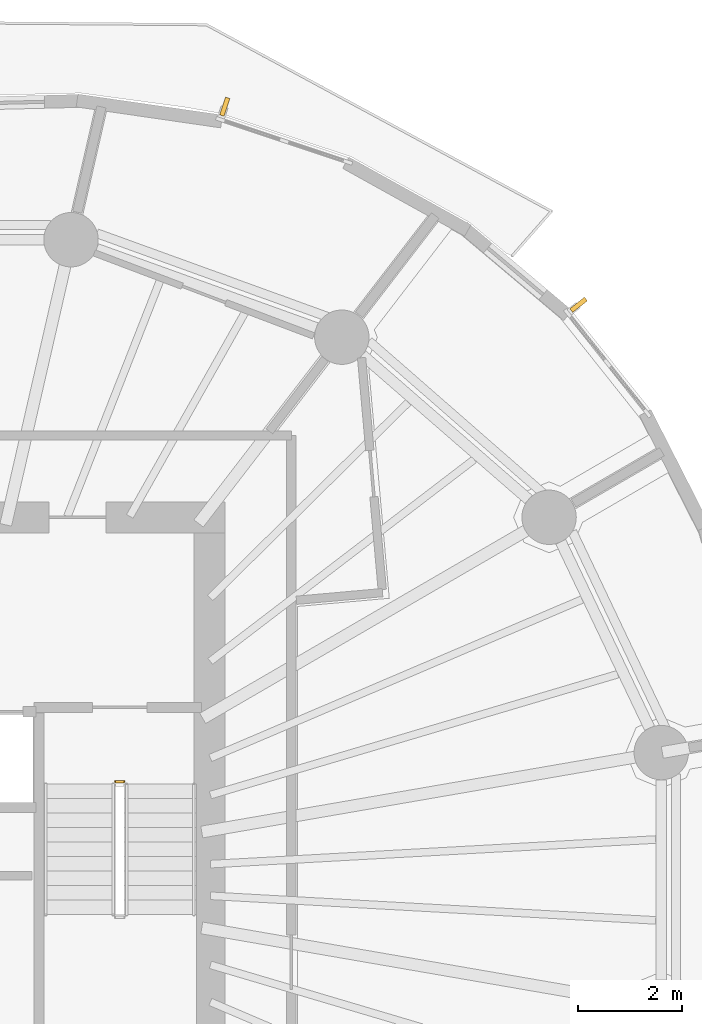
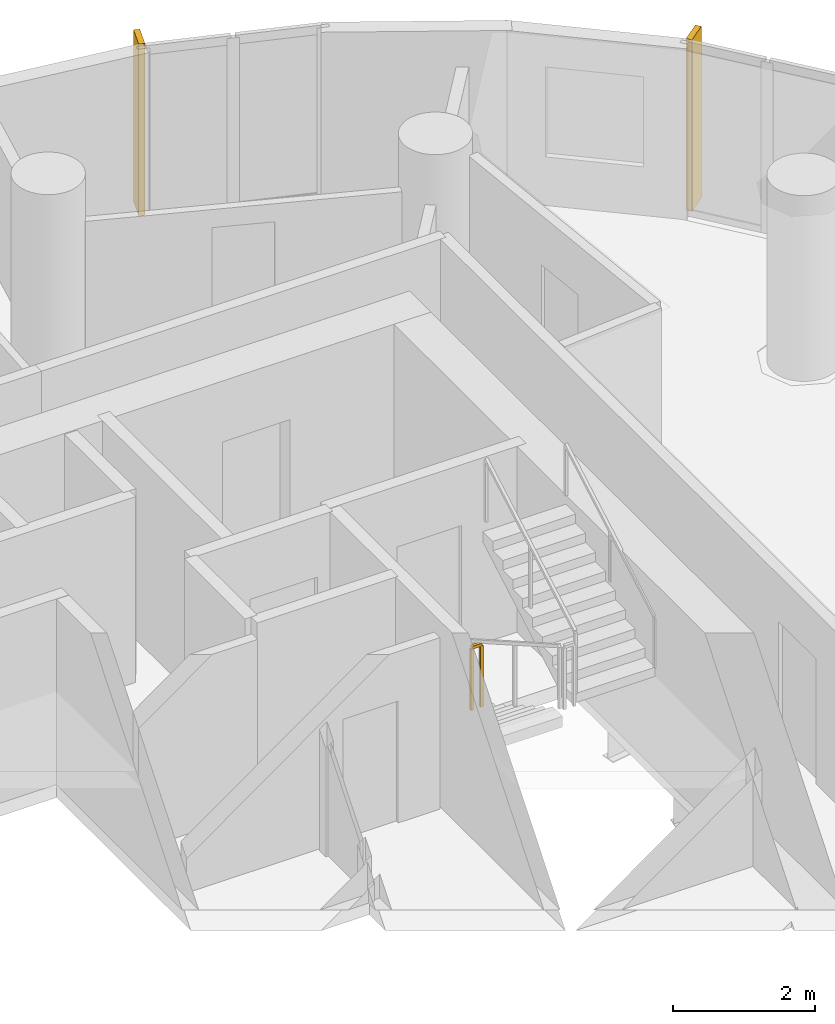
# One storey, part 12 of 12: 2 shading devices, 1 railing.
"""IFC4 building model written with IfcOpenShell, lengths in metres."""

import ifcopenshell
import ifcopenshell.guid

model = None  # the IFC model being written
_history = None  # IfcOwnerHistory: only IFC2X3 demands one
_inside = {}  # id of a spatial element -> (the spatial element, [elements in it])
_under = {}  # id of a project, library or spatial element -> (it, [spatial elements below it])
_declared = {}  # id of a project -> (the project, [libraries it declares])
_typed = {}  # id of a type object -> (the type object, [elements of that type])
_made_of = {}  # id of a material, layer set ... -> (it, [elements and type objects made of it])


def new_model(schema):
    """Start an empty IFC model of exactly this schema.

    Asked for "IFC4X3", IfcOpenShell would pick the latest addendum, in which some entities
    have other attributes; the version numbers below select the first issue.
    IFC2X3 requires an IfcOwnerHistory on every rooted entity: one is made here for all.
    """
    global model, _history
    if schema == "IFC4X3":
        model = ifcopenshell.file(schema_version=(4, 3, 0, 0))
    else:
        model = ifcopenshell.file(schema=schema)
    _inside.clear()
    _under.clear()
    _declared.clear()
    _typed.clear()
    _made_of.clear()
    _history = None
    if model.schema == "IFC2X3":
        org = make("IfcOrganization", Name="unknown")
        user = make(
            "IfcPersonAndOrganization",
            ThePerson=make("IfcPerson", FamilyName="unknown"),
            TheOrganization=org,
        )
        app = make(
            "IfcApplication",
            ApplicationDeveloper=org,
            Version="unknown",
            ApplicationFullName="unknown",
            ApplicationIdentifier="unknown",
        )
        _history = make(
            "IfcOwnerHistory",
            OwningUser=user,
            OwningApplication=app,
            ChangeAction="ADDED",
            CreationDate=0,
        )
    return model


def make(cls, **values):
    """One entity of the class cls with the attributes given. An attribute that is None is left unset."""
    return model.create_entity(
        cls, **{name: value for name, value in values.items() if value is not None}
    )


def rooted(cls, **values):
    """An entity with a GlobalId (a new one), such as an element, a storey or a relation."""
    return make(cls, GlobalId=ifcopenshell.guid.new(), OwnerHistory=_history, **values)


def si_unit(unit_type, name, prefix=None):
    """IfcSIUnit, for example si_unit("LENGTHUNIT", "METRE", prefix="MILLI")."""
    return make("IfcSIUnit", UnitType=unit_type, Prefix=prefix, Name=name)


def assignment(units):
    """IfcUnitAssignment: the units of a project."""
    return None if units is None else make("IfcUnitAssignment", Units=units)


def point(xyz):
    """IfcCartesianPoint."""
    return None if xyz is None else make("IfcCartesianPoint", Coordinates=xyz)


def direction(xyz):
    """IfcDirection."""
    return None if xyz is None else make("IfcDirection", DirectionRatios=xyz)


def frame(location, z_axis=None, x_axis=None):
    """IfcAxis2Placement3D, a coordinate frame: its origin and axes. An axis left out is left unset."""
    return make(
        "IfcAxis2Placement3D",
        Location=point(location),
        Axis=direction(z_axis),
        RefDirection=direction(x_axis),
    )


def frame_2d(location, x_axis=None):
    """IfcAxis2Placement2D, a coordinate frame in the plane: its origin and x axis."""
    return make(
        "IfcAxis2Placement2D", Location=point(location), RefDirection=direction(x_axis)
    )


def origin():
    """The frame at (0, 0, 0) with its axes left unset."""
    return frame((0.0, 0.0, 0.0))


def origin_2d():
    """The frame at (0, 0) in the plane with its x axis left unset."""
    return frame_2d((0.0, 0.0))


def place(relative_to, where):
    """IfcLocalPlacement: puts the frame where relative to a parent placement (None: the world)."""
    return make(
        "IfcLocalPlacement", PlacementRelTo=relative_to, RelativePlacement=where
    )


def context(
    kind, dimensions, precision=None, world=None, true_north=None, identifier=None
):
    """IfcGeometricRepresentationContext, for example the 3D "Model" context."""
    return make(
        "IfcGeometricRepresentationContext",
        ContextIdentifier=identifier,
        ContextType=kind,
        CoordinateSpaceDimension=dimensions,
        Precision=precision,
        WorldCoordinateSystem=world,
        TrueNorth=true_north,
    )


def subcontext(parent, identifier, kind, view, scale=None):
    """IfcGeometricRepresentationSubContext, for example "Body" below "Model"."""
    return make(
        "IfcGeometricRepresentationSubContext",
        ContextIdentifier=identifier,
        ContextType=kind,
        ParentContext=parent,
        TargetScale=scale,
        TargetView=view,
    )


def project(units=None, contexts=None):
    """IfcProject with its units and contexts."""
    return rooted(
        "IfcProject",
        Name="project",
        RepresentationContexts=contexts,
        UnitsInContext=assignment(units),
    )


def spatial(cls, under=None, at=None, **own):
    """A site, building, storey or space (cls), placed at a placement, below another one or the project."""
    s = rooted(cls, ObjectPlacement=at, **own)
    if under is not None:
        _under.setdefault(under.id(), (under, []))[1].append(s)
    return s


def profile(cls, at=None, kind="AREA", **sizes):
    """A parametric profile (cls). Its sizes go by their IFC names, for example OverallWidth=200.0."""
    return make(cls, ProfileType=kind, Position=at, **sizes)


def rectangle(**sizes):
    """IfcRectangleProfileDef."""
    return profile("IfcRectangleProfileDef", **sizes)


def extrude(swept, where, along, depth):
    """IfcExtrudedAreaSolid: the profile swept, set in the frame where, extruded along a direction by depth."""
    return make(
        "IfcExtrudedAreaSolid",
        SweptArea=swept,
        Position=where,
        ExtrudedDirection=direction(along),
        Depth=depth,
    )


def shape(context_of_items, identifier, shape_type, items):
    """IfcShapeRepresentation: the items that make up one representation, for example the "Body"."""
    return make(
        "IfcShapeRepresentation",
        ContextOfItems=context_of_items,
        RepresentationIdentifier=identifier,
        RepresentationType=shape_type,
        Items=items,
    )


def material(Name=None, Category=None):
    """IfcMaterial."""
    return make("IfcMaterial", Name=Name, Category=Category)


def layer(
    of_material, thickness, ventilated=None, Name=None, Category=None, Priority=None
):
    """IfcMaterialLayer: one layer of a wall or slab, of a material (None: an air gap)."""
    return make(
        "IfcMaterialLayer",
        Material=of_material,
        LayerThickness=thickness,
        IsVentilated=ventilated,
        Name=Name,
        Category=Category,
        Priority=Priority,
    )


def layer_set(layers, Name=None):
    """IfcMaterialLayerSet."""
    return make("IfcMaterialLayerSet", MaterialLayers=layers, LayerSetName=Name)


def made_of(thing, what):
    """Note that an element or type object is made of a material, layer set ...; save() writes the relation."""
    if what is not None:
        _made_of.setdefault(what.id(), (what, []))[1].append(thing)
    return thing


def type_object(cls, material=None, **own):
    """A type object (cls), such as IfcWallType, which elements share."""
    return made_of(rooted(cls, **own), material)


def element(
    cls,
    number,
    at=None,
    inside=None,
    cuts=None,
    type_object=None,
    material=None,
    context=None,
    identifier="Body",
    shape_type=None,
    held_by="IfcProductDefinitionShape",
    body=None,
    shapes=None,
    **own,
):
    """One element of the class cls, such as IfcWall. Its Tag is "e" and its number.

    at: its placement. inside: the storey or other place that contains it. cuts: it is an
    opening in that element (IfcRelVoidsElement). A single representation is given by context,
    identifier, shape_type and body (its items); several are given by shapes. held_by: the class
    of the entity that holds the representations. save() writes the other relations.
    """
    e = rooted(cls, Tag="e%d" % number, ObjectPlacement=at, **own)
    if body is not None:
        shapes = [shape(context, identifier, shape_type, body)]
    if shapes is not None:
        e.Representation = make(held_by, Representations=shapes)
    if inside is not None:
        _inside.setdefault(inside.id(), (inside, []))[1].append(e)
    if cuts is not None:
        rooted(
            "IfcRelVoidsElement", RelatingBuildingElement=cuts, RelatedOpeningElement=e
        )
    if type_object is not None:
        _typed.setdefault(type_object.id(), (type_object, []))[1].append(e)
    return made_of(e, material)


def aggregate(whole, parts):
    """IfcRelAggregates: a whole, such as a stair, and the parts it consists of."""
    return rooted("IfcRelAggregates", RelatingObject=whole, RelatedObjects=parts)


def save(model, path):
    """Write the relations noted so far, then the file.

    IfcRelAggregates (storeys below a building ...), IfcRelContainedInSpatialStructure (elements
    in a storey), IfcRelDefinesByType, IfcRelAssociatesMaterial and IfcRelDeclares: one each for
    every whole, place, type object, material and project.
    """
    for whole, parts in _under.values():
        aggregate(whole, parts)
    for where, things in _inside.values():
        rooted(
            "IfcRelContainedInSpatialStructure",
            RelatedElements=things,
            RelatingStructure=where,
        )
    for kind, things in _typed.values():
        rooted("IfcRelDefinesByType", RelatedObjects=things, RelatingType=kind)
    for what, things in _made_of.values():
        rooted("IfcRelAssociatesMaterial", RelatedObjects=things, RelatingMaterial=what)
    for by, libraries in _declared.values():
        rooted("IfcRelDeclares", RelatingContext=by, RelatedDefinitions=libraries)
    model.write(path)


model = new_model("IFC4")

# Units and contexts
model_context = context("Model", 3, precision=1e-05, world=origin(), true_north=direction((0.0, 1.0)))
body_context = subcontext(model_context, "Body", "Model", "MODEL_VIEW")
ifc_project = project(units=[si_unit("LENGTHUNIT", "METRE"), si_unit("AREAUNIT", "SQUARE_METRE"), si_unit("VOLUMEUNIT", "CUBIC_METRE"), si_unit("PLANEANGLEUNIT", "RADIAN"), si_unit("MASSUNIT", "GRAM", prefix="KILO")], contexts=[model_context])

# Site, building, storey
site_placement = place(None, origin())
site = spatial("IfcSite", under=ifc_project, at=site_placement, CompositionType="ELEMENT")
building_placement = place(site_placement, origin())
building = spatial("IfcBuilding", under=site, at=building_placement, Name="Veldorim Arch Residences", CompositionType="ELEMENT")
storey_placement = place(building_placement, frame((0.0, 0.0, 139.360107421875)))
storey = spatial("IfcBuildingStorey", under=building, at=storey_placement, Name="L41", CompositionType="ELEMENT", Elevation=139.360107421875)

# Railing
ifc_material_1 = material(Name="Steel S355", Category="steel")
railing_type = type_object("IfcRailingType", Name="Galvanised Steel Stair Safety Guardrail 1100", PredefinedType="GUARDRAIL", material=ifc_material_1)
railing_placement = place(storey_placement, frame((35.68994140625, 25.89990234375, 0.0)))
element("IfcRailing", 1, at=railing_placement, inside=storey, type_object=railing_type, Name="L41 ST-2 stair guard 4", PredefinedType="GUARDRAIL", context=body_context, shape_type="SweptSolid", body=[
    extrude(rectangle(XDim=0.048095703125, YDim=0.048095703125, at=origin_2d()), frame((0.0, 0.0, 1.076171875), z_axis=(1.0, 0.0, 0.0), x_axis=(0.0, 1.0, 0.0)), (0.0, 0.0, 1.0), 0.16015625),
    extrude(rectangle(XDim=0.0419921875, YDim=0.0419921875, at=origin_2d()), origin(), (0.0, 0.0, 1.0), 1.052001953125),
    extrude(rectangle(XDim=0.0419921875, YDim=0.0419921875, at=origin_2d()), frame((0.16015625, 0.0, 0.0)), (0.0, 0.0, 1.0), 1.052001953125),
])

# Shading devices
ifc_material_2 = material(Name="Terracotta Ceramic", Category="masonry")
ifc_layer = layer(ifc_material_2, 0.090087890625, Name="Vertical Extruded Terracotta Baguette Sun-Shading Fin")
ifc_layer_set = layer_set([ifc_layer], Name="Terracotta Ceramic")
shading_device_type = type_object("IfcShadingDeviceType", Name="Vertical Extruded Terracotta Baguette Sun-Shading Fin", PredefinedType="USERDEFINED", material=ifc_layer_set)
for number, where, z_axis, x_axis, name in (
    (2, (44.625, 35.101318359375, 0.0), (0.0, 0.0, 1.0), (0.622514636638, -0.782608156852, 0.0), "L41 vertical terracotta sun-shading fin 01"),
    (3, (37.796142578125, 38.92626953125, 0.0), (0.0, 0.0, 1.0), (0.948931088342, -0.315483422034, 0.0), "L41 vertical terracotta sun-shading fin 04"),
):
    element("IfcShadingDevice", number, at=place(storey_placement, frame(where, z_axis=z_axis, x_axis=x_axis)), inside=storey, type_object=shading_device_type, Name=name, ObjectType="FIN", PredefinedType="USERDEFINED", context=body_context, shape_type="SweptSolid", body=[
        extrude(rectangle(XDim=0.090087890625, YDim=0.360107421875, at=origin_2d()), origin(), (0.0, 0.0, 1.0), 2.9599609375),
    ])

save(model, "model.ifc")
